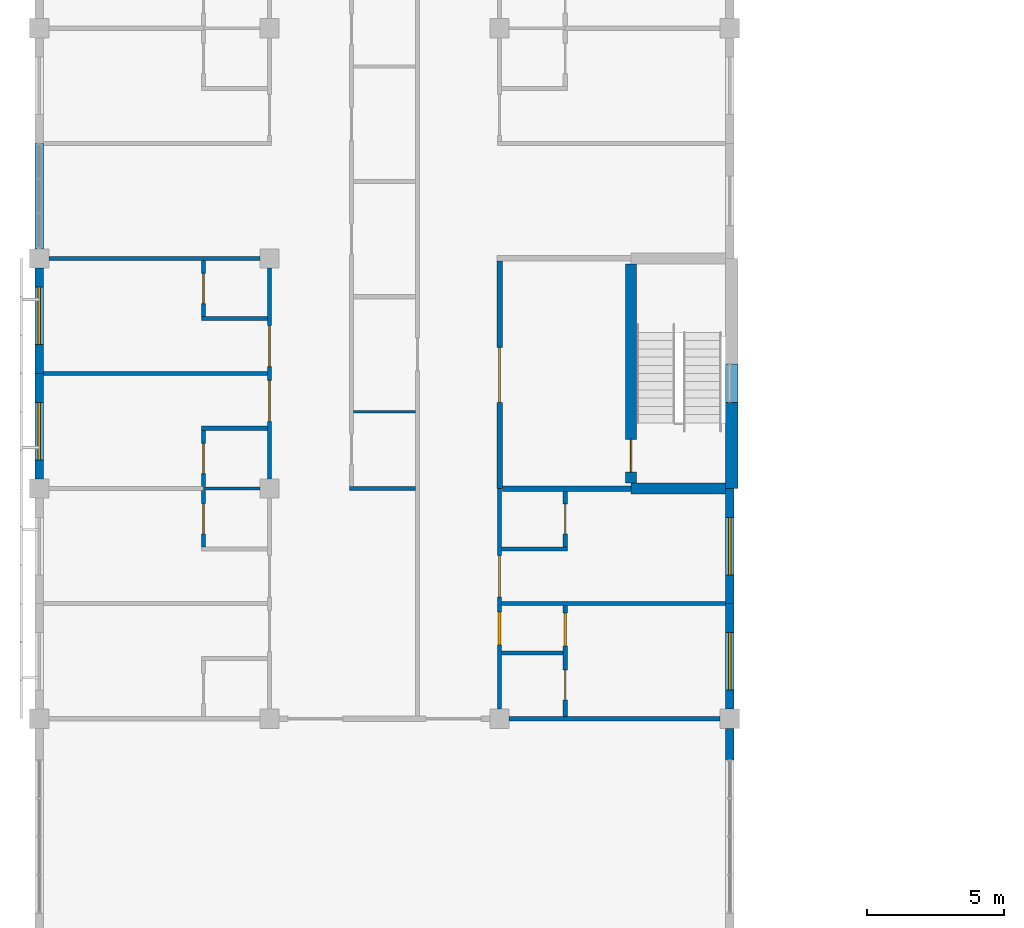
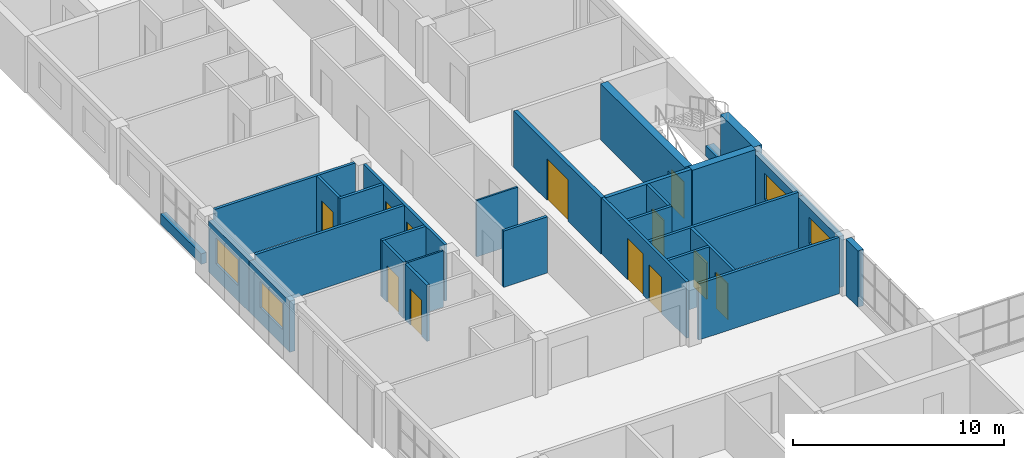
# One storey, part 27 of 46: 30 walls, 12 doors, 4 windows, 16 openings.
"""IFC4 building model written with IfcOpenShell, lengths in metres."""

from ifc_helpers import new_model, si_unit, direction, frame, frame_2d, origin, place, context, subcontext, project, spatial, rectangle, extrude, material, layer, layer_set, type_object, element, fill, save


model = new_model("IFC4")

# Units and contexts
model_context = context("Model", 3, precision=1e-05, world=origin(), true_north=direction((0.0, 1.0)))
body_context = subcontext(model_context, "Body", "Model", "MODEL_VIEW")
ifc_project = project(units=[si_unit("LENGTHUNIT", "METRE"), si_unit("AREAUNIT", "SQUARE_METRE"), si_unit("VOLUMEUNIT", "CUBIC_METRE"), si_unit("PLANEANGLEUNIT", "RADIAN"), si_unit("MASSUNIT", "GRAM", prefix="KILO")], contexts=[model_context])

# Site, building, storey
site_placement = place(None, origin())
site = spatial("IfcSite", under=ifc_project, at=site_placement, CompositionType="ELEMENT")
building_placement = place(site_placement, origin())
building = spatial("IfcBuilding", under=site, at=building_placement, Name="Yavir Park General Hospital", CompositionType="ELEMENT")
storey_placement = place(building_placement, frame((0.0, 0.0, 18.89990234375)))
storey = spatial("IfcBuildingStorey", under=building, at=storey_placement, Name="L04", CompositionType="ELEMENT", Elevation=18.89990234375)

# Wall
ifc_material_1 = material(Name="Double gypsum board fire partition on steel studs", Category="steel")
ifc_layer_1 = layer(ifc_material_1, 0.199951171875)
ifc_layer_set_1 = layer_set([ifc_layer_1], Name="Double gypsum board fire partition on steel studs")
wall_type_1 = type_object("IfcWallType", Name="Fire-rated partition 200, EI 60", PredefinedType="PARTITIONING", material=ifc_layer_set_1)
wall_1_placement = place(storey_placement, frame((16.89990234375, 42.0, 0.0), z_axis=(0.0, 0.0, 1.0), x_axis=(1.0, 0.0, 0.0)))
element("IfcWall", 1, at=wall_1_placement, inside=storey, type_object=wall_type_1, Name="FP20 L04-068", PredefinedType="PARTITIONING", context=body_context, shape_type="SweptSolid", body=[
    extrude(rectangle(XDim=4.7001953125, YDim=0.199951171875, at=frame_2d((2.35009765625, 0.0))), origin(), (0.0, 0.0, 1.0), 3.260009765625),
])

# Wall, opening, door
wall_2_placement = place(storey_placement, frame((16.800048828125, 42.0, 0.0), z_axis=(0.0, 0.0, 1.0), x_axis=(0.0, 1.0, 0.0)))
wall_2 = element("IfcWall", 2, at=wall_2_placement, inside=storey, type_object=wall_type_1, Name="FP20 L04-190", PredefinedType="PARTITIONING", context=body_context, shape_type="SweptSolid", body=[
    extrude(rectangle(XDim=8.300048828125, YDim=0.199951171875, at=frame_2d((4.14990234375, 0.0))), origin(), (0.0, 0.0, 1.0), 3.260009765625),
])
opening_1_placement = place(wall_2_placement, frame((3.14990234375, 0.0, 0.0)))
opening_1 = element("IfcOpeningElement", 3, at=opening_1_placement, cuts=wall_2, Name="Opening L04.D117", PredefinedType="OPENING", context=body_context, shape_type="SweptSolid", body=[
    extrude(rectangle(XDim=2.0, YDim=2.39990234375, at=frame_2d((1.0, 1.199951171875))), frame((0.0, 0.10986328125, 0.0), z_axis=(0.0, -1.0, 0.0), x_axis=(1.0, 0.0, 0.0)), (0.0, 0.0, 1.0), 0.219970703125),
])
ifc_material_2 = material(Name="Steel frame, fire-resisting leaves with vision panels", Category="steel")
door_type_1 = type_object("IfcDoorType", Name="Double fire door with vision panels 2000 x 2400, EI 60", OperationType="DOUBLE_DOOR_SINGLE_SWING", PredefinedType="DOOR", material=ifc_material_2)
door_1_placement = place(opening_1_placement, origin())
door_1 = element("IfcDoor", 4, at=door_1_placement, inside=storey, type_object=door_type_1, Name="L04.D117", OperationType="SINGLE_SWING_LEFT", OverallHeight=2.39990234375, OverallWidth=2.0, PredefinedType="DOOR", context=body_context, shape_type="SweptSolid", body=[
    extrude(rectangle(XDim=2.0, YDim=2.39990234375, at=frame_2d((1.0, 1.199951171875))), frame((0.0, 0.030029296875, 0.0), z_axis=(0.0, -1.0, 0.0), x_axis=(1.0, 0.0, 0.0)), (0.0, 0.0, 1.0), 0.06005859375),
])
fill(opening_1, door_1)

# Walls
ifc_material_3 = material(Name="Gypsum board partition on steel studs", Category="steel")
ifc_layer_2 = layer(ifc_material_3, 0.10009765625)
ifc_layer_set_2 = layer_set([ifc_layer_2], Name="Gypsum board partition on steel studs")
wall_type_2 = type_object("IfcWallType", Name="Gypsum board partition 100", PredefinedType="PARTITIONING", material=ifc_layer_set_2)
wall_3_placement = place(storey_placement, frame((6.0, 42.0, 0.0), z_axis=(0.0, 0.0, 1.0), x_axis=(1.0, 0.0, 0.0)))
element("IfcWall", 5, at=wall_3_placement, inside=storey, type_object=wall_type_2, Name="P10 L04-066", PredefinedType="PARTITIONING", context=body_context, shape_type="SweptSolid", body=[
    extrude(rectangle(XDim=2.050048828125, YDim=0.10009765625, at=frame_2d((1.02490234375, 0.0))), origin(), (0.0, 0.0, 1.0), 3.260009765625),
])
wall_4_placement = place(storey_placement, frame((11.47509765625, 44.800048828125, 0.0), z_axis=(0.0, 0.0, 1.0), x_axis=(1.0, 0.0, 0.0)))
element("IfcWall", 6, at=wall_4_placement, inside=storey, type_object=wall_type_2, Name="P10 L04-071", PredefinedType="PARTITIONING", context=body_context, shape_type="SweptSolid", body=[
    extrude(rectangle(XDim=2.25, YDim=0.10009765625, at=frame_2d((1.125, 0.0))), origin(), (0.0, 0.0, 1.0), 3.260009765625),
])
ifc_material_4 = material(Name="Gypsum board partition on steel studs", Category="steel")
ifc_layer_3 = layer(ifc_material_4, 0.14990234375)
ifc_layer_set_3 = layer_set([ifc_layer_3], Name="Gypsum board partition on steel studs")
wall_type_3 = type_object("IfcWallType", Name="Gypsum board partition 150", PredefinedType="PARTITIONING", material=ifc_layer_set_3)
wall_5_placement = place(storey_placement, frame((17.14990234375, 33.60009765625, 0.0), z_axis=(0.0, 0.0, 1.0), x_axis=(1.0, 0.0, 0.0)))
element("IfcWall", 7, at=wall_5_placement, inside=storey, type_object=wall_type_3, Name="P15 L04-058", PredefinedType="PARTITIONING", context=body_context, shape_type="SweptSolid", body=[
    extrude(rectangle(XDim=7.7001953125, YDim=0.14990234375, at=frame_2d((3.85009765625, 0.0))), origin(), (0.0, 0.0, 1.0), 3.260009765625),
])
wall_6_placement = place(storey_placement, frame((16.875, 36.0, 0.0), z_axis=(0.0, 0.0, 1.0), x_axis=(1.0, 0.0, 0.0)))
element("IfcWall", 8, at=wall_6_placement, inside=storey, type_object=wall_type_3, Name="P15 L04-060", PredefinedType="PARTITIONING", context=body_context, shape_type="SweptSolid", body=[
    extrude(rectangle(XDim=2.25, YDim=0.14990234375, at=frame_2d((1.125, 0.0))), origin(), (0.0, 0.0, 1.0), 3.260009765625),
])
wall_7_placement = place(storey_placement, frame((16.875, 37.800048828125, 0.0), z_axis=(0.0, 0.0, 1.0), x_axis=(1.0, 0.0, 0.0)))
element("IfcWall", 9, at=wall_7_placement, inside=storey, type_object=wall_type_3, Name="P15 L04-062", PredefinedType="PARTITIONING", context=body_context, shape_type="SweptSolid", body=[
    extrude(rectangle(XDim=8.175048828125, YDim=0.14990234375, at=frame_2d((4.08740234375, 0.0))), origin(), (0.0, 0.0, 1.0), 3.260009765625),
])
wall_8_placement = place(storey_placement, frame((16.875, 39.800048828125, 0.0), z_axis=(0.0, 0.0, 1.0), x_axis=(1.0, 0.0, 0.0)))
element("IfcWall", 10, at=wall_8_placement, inside=storey, type_object=wall_type_3, Name="P15 L04-064", PredefinedType="PARTITIONING", context=body_context, shape_type="SweptSolid", body=[
    extrude(rectangle(XDim=2.39990234375, YDim=0.14990234375, at=frame_2d((1.199951171875, 0.0))), origin(), (0.0, 0.0, 1.0), 3.260009765625),
])
wall_9_placement = place(storey_placement, frame((11.324951171875, 42.0, 0.0), z_axis=(0.0, 0.0, 1.0), x_axis=(1.0, 0.0, 0.0)))
element("IfcWall", 11, at=wall_9_placement, inside=storey, type_object=wall_type_3, Name="P15 L04-067", PredefinedType="PARTITIONING", context=body_context, shape_type="SweptSolid", body=[
    extrude(rectangle(XDim=2.400146484375, YDim=0.14990234375, at=frame_2d((1.2001953125, 0.0))), origin(), (0.0, 0.0, 1.0), 3.260009765625),
])
wall_10_placement = place(storey_placement, frame((5.925048828125, 44.199951171875, 0.0), z_axis=(0.0, 0.0, 1.0), x_axis=(1.0, 0.0, 0.0)))
element("IfcWall", 12, at=wall_10_placement, inside=storey, type_object=wall_type_3, Name="P15 L04-070", PredefinedType="PARTITIONING", context=body_context, shape_type="SweptSolid", body=[
    extrude(rectangle(XDim=2.39990234375, YDim=0.14990234375, at=frame_2d((1.199951171875, 0.0))), origin(), (0.0, 0.0, 1.0), 3.260009765625),
])
wall_11_placement = place(storey_placement, frame((0.14990234375, 46.199951171875, 0.0), z_axis=(0.0, 0.0, 1.0), x_axis=(1.0, 0.0, 0.0)))
element("IfcWall", 13, at=wall_11_placement, inside=storey, type_object=wall_type_3, Name="P15 L04-072", PredefinedType="PARTITIONING", context=body_context, shape_type="SweptSolid", body=[
    extrude(rectangle(XDim=8.175048828125, YDim=0.14990234375, at=frame_2d((4.08740234375, 0.0))), origin(), (0.0, 0.0, 1.0), 3.260009765625),
])
wall_12_placement = place(storey_placement, frame((5.925048828125, 48.199951171875, 0.0), z_axis=(0.0, 0.0, 1.0), x_axis=(1.0, 0.0, 0.0)))
element("IfcWall", 14, at=wall_12_placement, inside=storey, type_object=wall_type_3, Name="P15 L04-073", PredefinedType="PARTITIONING", context=body_context, shape_type="SweptSolid", body=[
    extrude(rectangle(XDim=2.39990234375, YDim=0.14990234375, at=frame_2d((1.199951171875, 0.0))), origin(), (0.0, 0.0, 1.0), 3.260009765625),
])
wall_13_placement = place(storey_placement, frame((0.35009765625, 50.39990234375, 0.0), z_axis=(0.0, 0.0, 1.0), x_axis=(1.0, 0.0, 0.0)))
element("IfcWall", 15, at=wall_13_placement, inside=storey, type_object=wall_type_3, Name="P15 L04-075", PredefinedType="PARTITIONING", context=body_context, shape_type="SweptSolid", body=[
    extrude(rectangle(XDim=7.699951171875, YDim=0.14990234375, at=frame_2d((3.85009765625, 0.0))), origin(), (0.0, 0.0, 1.0), 3.260009765625),
])

# Wall, opening, door
wall_14_placement = place(storey_placement, frame((6.0, 39.875, 0.0), z_axis=(0.0, 0.0, 1.0), x_axis=(0.0, 1.0, 0.0)))
wall_14 = element("IfcWall", 16, at=wall_14_placement, inside=storey, type_object=wall_type_3, Name="P15 L04-148", PredefinedType="PARTITIONING", context=body_context, shape_type="SweptSolid", body=[
    extrude(rectangle(XDim=2.050048828125, YDim=0.14990234375, at=frame_2d((1.02490234375, 0.0))), origin(), (0.0, 0.0, 1.0), 3.260009765625),
])
opening_2_placement = place(wall_14_placement, frame((0.47509765625, 0.0, 0.0)))
opening_2 = element("IfcOpeningElement", 17, at=opening_2_placement, cuts=wall_14, Name="Opening L04.D077", PredefinedType="OPENING", context=body_context, shape_type="SweptSolid", body=[
    extrude(rectangle(XDim=1.10009765625, YDim=2.10009765625, at=frame_2d((0.550048828125, 1.050048828125))), frame((0.0, 0.0849609375, 0.0), z_axis=(0.0, -1.0, 0.0), x_axis=(1.0, 0.0, 0.0)), (0.0, 0.0, 1.0), 0.169921875),
])
ifc_material_5 = material(Name="Hollow metal frame, solid-core timber leaf", Category="wood")
door_type_2 = type_object("IfcDoorType", Name="Single swing door 1100 x 2100", OperationType="SINGLE_SWING_LEFT", PredefinedType="DOOR", material=ifc_material_5)
door_2_placement = place(opening_2_placement, origin())
door_2 = element("IfcDoor", 18, at=door_2_placement, inside=storey, type_object=door_type_2, Name="L04.D077", OperationType="SINGLE_SWING_LEFT", OverallHeight=2.10009765625, OverallWidth=1.10009765625, PredefinedType="DOOR", context=body_context, shape_type="SweptSolid", body=[
    extrude(rectangle(XDim=1.10009765625, YDim=2.10009765625, at=frame_2d((0.550048828125, 1.050048828125))), frame((0.0, 0.02490234375, 0.0), z_axis=(0.0, -1.0, 0.0), x_axis=(1.0, 0.0, 0.0)), (0.0, 0.0, 1.0), 0.050048828125),
])
fill(opening_2, door_2)

wall_15_placement = place(storey_placement, frame((6.0, 42.074951171875, 0.0), z_axis=(0.0, 0.0, 1.0), x_axis=(0.0, 1.0, 0.0)))
wall_15 = element("IfcWall", 19, at=wall_15_placement, inside=storey, type_object=wall_type_3, Name="P15 L04-149", PredefinedType="PARTITIONING", context=body_context, shape_type="SweptSolid", body=[
    extrude(rectangle(XDim=2.050048828125, YDim=0.14990234375, at=frame_2d((1.02490234375, 0.0))), origin(), (0.0, 0.0, 1.0), 3.260009765625),
])
opening_3_placement = place(wall_15_placement, frame((0.47509765625, 0.0, 0.0)))
opening_3 = element("IfcOpeningElement", 20, at=opening_3_placement, cuts=wall_15, Name="Opening L04.D078", PredefinedType="OPENING", context=body_context, shape_type="SweptSolid", body=[
    extrude(rectangle(XDim=1.10009765625, YDim=2.10009765625, at=frame_2d((0.550048828125, 1.050048828125))), frame((0.0, 0.0849609375, 0.0), z_axis=(0.0, -1.0, 0.0), x_axis=(1.0, 0.0, 0.0)), (0.0, 0.0, 1.0), 0.169921875),
])
door_3_placement = place(opening_3_placement, origin())
door_3 = element("IfcDoor", 21, at=door_3_placement, inside=storey, type_object=door_type_2, Name="L04.D078", OperationType="SINGLE_SWING_RIGHT", OverallHeight=2.10009765625, OverallWidth=1.10009765625, PredefinedType="DOOR", context=body_context, shape_type="SweptSolid", body=[
    extrude(rectangle(XDim=1.10009765625, YDim=2.10009765625, at=frame_2d((0.550048828125, 1.050048828125))), frame((0.0, 0.02490234375, 0.0), z_axis=(0.0, -1.0, 0.0), x_axis=(1.0, 0.0, 0.0)), (0.0, 0.0, 1.0), 0.050048828125),
])
fill(opening_3, door_3)

wall_16_placement = place(storey_placement, frame((6.0, 48.27490234375, 0.0), z_axis=(0.0, 0.0, 1.0), x_axis=(0.0, 1.0, 0.0)))
wall_16 = element("IfcWall", 22, at=wall_16_placement, inside=storey, type_object=wall_type_3, Name="P15 L04-150", PredefinedType="PARTITIONING", context=body_context, shape_type="SweptSolid", body=[
    extrude(rectangle(XDim=2.050048828125, YDim=0.14990234375, at=frame_2d((1.02490234375, 0.0))), origin(), (0.0, 0.0, 1.0), 3.260009765625),
])
opening_4_placement = place(wall_16_placement, frame((0.47509765625, 0.0, 0.0)))
opening_4 = element("IfcOpeningElement", 23, at=opening_4_placement, cuts=wall_16, Name="Opening L04.D079", PredefinedType="OPENING", context=body_context, shape_type="SweptSolid", body=[
    extrude(rectangle(XDim=1.10009765625, YDim=2.10009765625, at=frame_2d((0.550048828125, 1.050048828125))), frame((0.0, 0.0849609375, 0.0), z_axis=(0.0, -1.0, 0.0), x_axis=(1.0, 0.0, 0.0)), (0.0, 0.0, 1.0), 0.169921875),
])
door_4_placement = place(opening_4_placement, origin())
door_4 = element("IfcDoor", 24, at=door_4_placement, inside=storey, type_object=door_type_2, Name="L04.D079", OperationType="SINGLE_SWING_LEFT", OverallHeight=2.10009765625, OverallWidth=1.10009765625, PredefinedType="DOOR", context=body_context, shape_type="SweptSolid", body=[
    extrude(rectangle(XDim=1.10009765625, YDim=2.10009765625, at=frame_2d((0.550048828125, 1.050048828125))), frame((0.0, 0.02490234375, 0.0), z_axis=(0.0, -1.0, 0.0), x_axis=(1.0, 0.0, 0.0)), (0.0, 0.0, 1.0), 0.050048828125),
])
fill(opening_4, door_4)

# Wall, openings, doors
wall_17_placement = place(storey_placement, frame((8.39990234375, 42.35009765625, 0.0), z_axis=(0.0, 0.0, 1.0), x_axis=(0.0, 1.0, 0.0)))
wall_17 = element("IfcWall", 25, at=wall_17_placement, inside=storey, type_object=wall_type_3, Name="P15 L04-167", PredefinedType="PARTITIONING", context=body_context, shape_type="SweptSolid", body=[
    extrude(rectangle(XDim=7.699951171875, YDim=0.14990234375, at=frame_2d((3.85009765625, 0.0))), origin(), (0.0, 0.0, 1.0), 3.260009765625),
])
opening_5_placement = place(wall_17_placement, frame((2.10009765625, 0.0, 0.0)))
opening_5 = element("IfcOpeningElement", 26, at=opening_5_placement, cuts=wall_17, Name="Opening L04.D091", PredefinedType="OPENING", context=body_context, shape_type="SweptSolid", body=[
    extrude(rectangle(XDim=1.5, YDim=2.39990234375, at=frame_2d((0.75, 1.199951171875))), frame((0.0, 0.0849609375, 0.0), z_axis=(0.0, -1.0, 0.0), x_axis=(1.0, 0.0, 0.0)), (0.0, 0.0, 1.0), 0.169921875),
])
opening_6_placement = place(wall_17_placement, frame((4.10009765625, 0.0, 0.0)))
opening_6 = element("IfcOpeningElement", 27, at=opening_6_placement, cuts=wall_17, Name="Opening L04.D092", PredefinedType="OPENING", context=body_context, shape_type="SweptSolid", body=[
    extrude(rectangle(XDim=1.5, YDim=2.39990234375, at=frame_2d((0.75, 1.199951171875))), frame((0.0, 0.0849609375, 0.0), z_axis=(0.0, -1.0, 0.0), x_axis=(1.0, 0.0, 0.0)), (0.0, 0.0, 1.0), 0.169921875),
])
ifc_material_6 = material(Name="Solid-core timber leaves, push plates, kick plates", Category="wood")
door_type_3 = type_object("IfcDoorType", Name="Bed door, unequal leaves 1500 x 2400", OperationType="DOUBLE_DOOR_SINGLE_SWING", PredefinedType="DOOR", material=ifc_material_6)
door_5_placement = place(opening_5_placement, origin())
door_5 = element("IfcDoor", 28, at=door_5_placement, inside=storey, type_object=door_type_3, Name="L04.D091", OperationType="SINGLE_SWING_RIGHT", OverallHeight=2.39990234375, OverallWidth=1.5, PredefinedType="DOOR", context=body_context, shape_type="SweptSolid", body=[
    extrude(rectangle(XDim=1.5, YDim=2.39990234375, at=frame_2d((0.75, 1.199951171875))), frame((0.0, 0.030029296875, 0.0), z_axis=(0.0, -1.0, 0.0), x_axis=(1.0, 0.0, 0.0)), (0.0, 0.0, 1.0), 0.06005859375),
])
fill(opening_5, door_5)
door_6_placement = place(opening_6_placement, origin())
door_6 = element("IfcDoor", 29, at=door_6_placement, inside=storey, type_object=door_type_3, Name="L04.D092", OperationType="SINGLE_SWING_RIGHT", OverallHeight=2.39990234375, OverallWidth=1.5, PredefinedType="DOOR", context=body_context, shape_type="SweptSolid", body=[
    extrude(rectangle(XDim=1.5, YDim=2.39990234375, at=frame_2d((0.75, 1.199951171875))), frame((0.0, 0.030029296875, 0.0), z_axis=(0.0, -1.0, 0.0), x_axis=(1.0, 0.0, 0.0)), (0.0, 0.0, 1.0), 0.06005859375),
])
fill(opening_6, door_6)

wall_18_placement = place(storey_placement, frame((16.800048828125, 33.949951171875, 0.0), z_axis=(0.0, 0.0, 1.0), x_axis=(0.0, 1.0, 0.0)))
wall_18 = element("IfcWall", 30, at=wall_18_placement, inside=storey, type_object=wall_type_3, Name="P15 L04-189", PredefinedType="PARTITIONING", context=body_context, shape_type="SweptSolid", body=[
    extrude(rectangle(XDim=8.050048828125, YDim=0.14990234375, at=frame_2d((4.02490234375, 0.0))), origin(), (0.0, 0.0, 1.0), 3.260009765625),
])
opening_7_placement = place(wall_18_placement, frame((2.35009765625, 0.0, 0.0)))
opening_7 = element("IfcOpeningElement", 31, at=opening_7_placement, cuts=wall_18, Name="Opening L04.D115", PredefinedType="OPENING", context=body_context, shape_type="SweptSolid", body=[
    extrude(rectangle(XDim=1.199951171875, YDim=2.10009765625, at=frame_2d((0.60009765625, 1.050048828125))), frame((0.0, 0.0849609375, 0.0), z_axis=(0.0, -1.0, 0.0), x_axis=(1.0, 0.0, 0.0)), (0.0, 0.0, 1.0), 0.169921875),
])
opening_8_placement = place(wall_18_placement, frame((4.10009765625, 0.0, 0.0)))
opening_8 = element("IfcOpeningElement", 32, at=opening_8_placement, cuts=wall_18, Name="Opening L04.D116", PredefinedType="OPENING", context=body_context, shape_type="SweptSolid", body=[
    extrude(rectangle(XDim=1.5, YDim=2.39990234375, at=frame_2d((0.75, 1.199951171875))), frame((0.0, 0.0849609375, 0.0), z_axis=(0.0, -1.0, 0.0), x_axis=(1.0, 0.0, 0.0)), (0.0, 0.0, 1.0), 0.169921875),
])
door_7_placement = place(opening_8_placement, origin())
door_7 = element("IfcDoor", 33, at=door_7_placement, inside=storey, type_object=door_type_3, Name="L04.D116", OperationType="SINGLE_SWING_LEFT", OverallHeight=2.39990234375, OverallWidth=1.5, PredefinedType="DOOR", context=body_context, shape_type="SweptSolid", body=[
    extrude(rectangle(XDim=1.5, YDim=2.39990234375, at=frame_2d((0.75, 1.199951171875))), frame((0.0, 0.030029296875, 0.0), z_axis=(0.0, -1.0, 0.0), x_axis=(1.0, 0.0, 0.0)), (0.0, 0.0, 1.0), 0.06005859375),
])
fill(opening_8, door_7)
ifc_material_7 = material(Name="Sealed steel door leaf, compression seals", Category="steel")
door_type_4 = type_object("IfcDoorType", Name="Isolation airlock door 1200 x 2100", OperationType="SINGLE_SWING_LEFT", PredefinedType="DOOR", material=ifc_material_7)
door_8_placement = place(opening_7_placement, origin())
door_8 = element("IfcDoor", 34, at=door_8_placement, inside=storey, type_object=door_type_4, Name="L04.D115", OperationType="SINGLE_SWING_LEFT", OverallHeight=2.10009765625, OverallWidth=1.199951171875, PredefinedType="DOOR", context=body_context, shape_type="SweptSolid", body=[
    extrude(rectangle(XDim=1.199951171875, YDim=2.10009765625, at=frame_2d((0.60009765625, 1.050048828125))), frame((0.0, 0.050048828125, 0.0), z_axis=(0.0, -1.0, 0.0), x_axis=(1.0, 0.0, 0.0)), (0.0, 0.0, 1.0), 0.10009765625),
])
fill(opening_7, door_8)

wall_19_placement = place(storey_placement, frame((19.199951171875, 33.675048828125, 0.0), z_axis=(0.0, 0.0, 1.0), x_axis=(0.0, 1.0, 0.0)))
wall_19 = element("IfcWall", 35, at=wall_19_placement, inside=storey, type_object=wall_type_3, Name="P15 L04-198", PredefinedType="PARTITIONING", context=body_context, shape_type="SweptSolid", body=[
    extrude(rectangle(XDim=4.050048828125, YDim=0.14990234375, at=frame_2d((2.02490234375, 0.0))), origin(), (0.0, 0.0, 1.0), 3.260009765625),
])
opening_9_placement = place(wall_19_placement, frame((0.612548828125, 0.0, 0.0)))
opening_9 = element("IfcOpeningElement", 36, at=opening_9_placement, cuts=wall_19, Name="Opening L04.D128", PredefinedType="OPENING", context=body_context, shape_type="SweptSolid", body=[
    extrude(rectangle(XDim=1.10009765625, YDim=2.10009765625, at=frame_2d((0.550048828125, 1.050048828125))), frame((0.0, 0.0849609375, 0.0), z_axis=(0.0, -1.0, 0.0), x_axis=(1.0, 0.0, 0.0)), (0.0, 0.0, 1.0), 0.169921875),
])
opening_10_placement = place(wall_19_placement, frame((2.58740234375, 0.0, 0.0)))
opening_10 = element("IfcOpeningElement", 37, at=opening_10_placement, cuts=wall_19, Name="Opening L04.D129", PredefinedType="OPENING", context=body_context, shape_type="SweptSolid", body=[
    extrude(rectangle(XDim=1.199951171875, YDim=2.10009765625, at=frame_2d((0.60009765625, 1.050048828125))), frame((0.0, 0.0849609375, 0.0), z_axis=(0.0, -1.0, 0.0), x_axis=(1.0, 0.0, 0.0)), (0.0, 0.0, 1.0), 0.169921875),
])
door_9_placement = place(opening_10_placement, origin())
door_9 = element("IfcDoor", 38, at=door_9_placement, inside=storey, type_object=door_type_4, Name="L04.D129", OperationType="SINGLE_SWING_RIGHT", OverallHeight=2.10009765625, OverallWidth=1.199951171875, PredefinedType="DOOR", context=body_context, shape_type="SweptSolid", body=[
    extrude(rectangle(XDim=1.199951171875, YDim=2.10009765625, at=frame_2d((0.60009765625, 1.050048828125))), frame((0.0, 0.050048828125, 0.0), z_axis=(0.0, -1.0, 0.0), x_axis=(1.0, 0.0, 0.0)), (0.0, 0.0, 1.0), 0.10009765625),
])
fill(opening_10, door_9)
door_10_placement = place(opening_9_placement, origin())
door_10 = element("IfcDoor", 39, at=door_10_placement, inside=storey, type_object=door_type_2, Name="L04.D128", OperationType="SINGLE_SWING_LEFT", OverallHeight=2.10009765625, OverallWidth=1.10009765625, PredefinedType="DOOR", context=body_context, shape_type="SweptSolid", body=[
    extrude(rectangle(XDim=1.10009765625, YDim=2.10009765625, at=frame_2d((0.550048828125, 1.050048828125))), frame((0.0, 0.02490234375, 0.0), z_axis=(0.0, -1.0, 0.0), x_axis=(1.0, 0.0, 0.0)), (0.0, 0.0, 1.0), 0.050048828125),
])
fill(opening_9, door_10)

# Wall, opening, door
wall_20_placement = place(storey_placement, frame((19.199951171875, 39.875, 0.0), z_axis=(0.0, 0.0, 1.0), x_axis=(0.0, 1.0, 0.0)))
wall_20 = element("IfcWall", 40, at=wall_20_placement, inside=storey, type_object=wall_type_3, Name="P15 L04-199", PredefinedType="PARTITIONING", context=body_context, shape_type="SweptSolid", body=[
    extrude(rectangle(XDim=2.02490234375, YDim=0.14990234375, at=frame_2d((1.012451171875, 0.0))), origin(), (0.0, 0.0, 1.0), 3.260009765625),
])
opening_11_placement = place(wall_20_placement, frame((0.46240234375, 0.0, 0.0)))
opening_11 = element("IfcOpeningElement", 41, at=opening_11_placement, cuts=wall_20, Name="Opening L04.D130", PredefinedType="OPENING", context=body_context, shape_type="SweptSolid", body=[
    extrude(rectangle(XDim=1.10009765625, YDim=2.10009765625, at=frame_2d((0.550048828125, 1.050048828125))), frame((0.0, 0.0849609375, 0.0), z_axis=(0.0, -1.0, 0.0), x_axis=(1.0, 0.0, 0.0)), (0.0, 0.0, 1.0), 0.169921875),
])
door_11_placement = place(opening_11_placement, origin())
door_11 = element("IfcDoor", 42, at=door_11_placement, inside=storey, type_object=door_type_2, Name="L04.D130", OperationType="SINGLE_SWING_RIGHT", OverallHeight=2.10009765625, OverallWidth=1.10009765625, PredefinedType="DOOR", context=body_context, shape_type="SweptSolid", body=[
    extrude(rectangle(XDim=1.10009765625, YDim=2.10009765625, at=frame_2d((0.550048828125, 1.050048828125))), frame((0.0, 0.02490234375, 0.0), z_axis=(0.0, -1.0, 0.0), x_axis=(1.0, 0.0, 0.0)), (0.0, 0.0, 1.0), 0.050048828125),
])
fill(opening_11, door_11)

# Wall, opening, window
ifc_material_8 = material(Name="Autoclaved aerated block, mineral wool and ochre mineral render")
ifc_layer_4 = layer(ifc_material_8, 0.300048828125)
ifc_layer_set_4 = layer_set([ifc_layer_4], Name="Autoclaved aerated block, mineral wool and ochre mineral render")
wall_type_4 = type_object("IfcWallType", Name="Ochre render ward wall 300, E 30", PredefinedType="SOLIDWALL", material=ifc_layer_set_4)
wall_21_placement = place(storey_placement, frame((0.0, 42.35009765625, 0.0), z_axis=(0.0, 0.0, 1.0), x_axis=(0.0, 1.0, 0.0)))
wall_21 = element("IfcWall", 43, at=wall_21_placement, inside=storey, type_object=wall_type_4, Name="XW7 L04-083", PredefinedType="SOLIDWALL", context=body_context, shape_type="SweptSolid", body=[
    extrude(rectangle(XDim=3.849853515625, YDim=0.300048828125, at=frame_2d((1.9248046875, 0.0))), origin(), (0.0, 0.0, 1.0), 2.960205078125),
])
opening_12_placement = place(wall_21_placement, frame((0.699951171875, 0.0, 0.89990234375)))
opening_12 = element("IfcOpeningElement", 44, at=opening_12_placement, cuts=wall_21, Name="Opening WAR", PredefinedType="OPENING", context=body_context, shape_type="SweptSolid", body=[
    extrude(rectangle(XDim=2.10009765625, YDim=1.5, at=frame_2d((1.050048828125, 0.75))), frame((0.0, 0.159912109375, 0.0), z_axis=(0.0, -1.0, 0.0), x_axis=(1.0, 0.0, 0.0)), (0.0, 0.0, 1.0), 0.320068359375),
])
ifc_material_9 = material(Name="Aluminium frame, tilt-and-turn sash with opening restrictor, double glazed unit", Category="aluminium")
window_type_1 = type_object("IfcWindowType", Name="Ward window, restricted opening 2100 x 1500", PartitioningType="DOUBLE_PANEL_VERTICAL", PredefinedType="WINDOW", material=ifc_material_9)
window_1_placement = place(opening_12_placement, origin())
window_1 = element("IfcWindow", 45, at=window_1_placement, inside=storey, type_object=window_type_1, Name="WAR L04-028", OverallHeight=1.5, OverallWidth=2.10009765625, PartitioningType="DOUBLE_PANEL_VERTICAL", PredefinedType="WINDOW", context=body_context, shape_type="SweptSolid", body=[
    extrude(rectangle(XDim=2.10009765625, YDim=1.5, at=frame_2d((1.050048828125, 0.75))), frame((0.0, 0.050048828125, 0.0), z_axis=(0.0, -1.0, 0.0), x_axis=(1.0, 0.0, 0.0)), (0.0, 0.0, 1.0), 0.10009765625),
])
fill(opening_12, window_1)

wall_22_placement = place(storey_placement, frame((0.0, 46.199951171875, 0.0), z_axis=(0.0, 0.0, 1.0), x_axis=(0.0, 1.0, 0.0)))
wall_22 = element("IfcWall", 46, at=wall_22_placement, inside=storey, type_object=wall_type_4, Name="XW7 L04-084", PredefinedType="SOLIDWALL", context=body_context, shape_type="SweptSolid", body=[
    extrude(rectangle(XDim=3.85009765625, YDim=0.300048828125, at=frame_2d((1.925048828125, 0.0))), origin(), (0.0, 0.0, 1.0), 2.960205078125),
])
opening_13_placement = place(wall_22_placement, frame((1.050048828125, 0.0, 0.89990234375)))
opening_13 = element("IfcOpeningElement", 47, at=opening_13_placement, cuts=wall_22, Name="Opening WAR", PredefinedType="OPENING", context=body_context, shape_type="SweptSolid", body=[
    extrude(rectangle(XDim=2.10009765625, YDim=1.5, at=frame_2d((1.050048828125, 0.75))), frame((0.0, 0.159912109375, 0.0), z_axis=(0.0, -1.0, 0.0), x_axis=(1.0, 0.0, 0.0)), (0.0, 0.0, 1.0), 0.320068359375),
])
window_2_placement = place(opening_13_placement, origin())
window_2 = element("IfcWindow", 48, at=window_2_placement, inside=storey, type_object=window_type_1, Name="WAR L04-029", OverallHeight=1.5, OverallWidth=2.10009765625, PartitioningType="DOUBLE_PANEL_VERTICAL", PredefinedType="WINDOW", context=body_context, shape_type="SweptSolid", body=[
    extrude(rectangle(XDim=2.10009765625, YDim=1.5, at=frame_2d((1.050048828125, 0.75))), frame((0.0, 0.050048828125, 0.0), z_axis=(0.0, -1.0, 0.0), x_axis=(1.0, 0.0, 0.0)), (0.0, 0.0, 1.0), 0.10009765625),
])
fill(opening_13, window_2)

# Walls
wall_23_placement = place(storey_placement, frame((0.0, 50.75, 0.0), z_axis=(0.0, 0.0, 1.0), x_axis=(0.0, 1.0, 0.0)))
element("IfcWall", 49, at=wall_23_placement, inside=storey, type_object=wall_type_4, Name="XW7 L04-085", PredefinedType="SOLIDWALL", context=body_context, shape_type="SweptSolid", body=[
    extrude(rectangle(XDim=3.85009765625, YDim=0.300048828125, at=frame_2d((1.925048828125, 0.0))), origin(), (0.0, 0.0, 1.0), 0.60009765625),
])
wall_24_placement = place(storey_placement, frame((25.199951171875, 32.10009765625, 0.0), z_axis=(0.0, 0.0, 1.0), x_axis=(0.0, 1.0, 0.0)))
element("IfcWall", 50, at=wall_24_placement, inside=storey, type_object=wall_type_4, Name="XW7 L04-103", PredefinedType="SOLIDWALL", context=body_context, shape_type="SweptSolid", body=[
    extrude(rectangle(XDim=1.14990234375, YDim=0.300048828125, at=frame_2d((0.574951171875, 0.0))), origin(), (0.0, 0.0, 1.0), 3.260009765625),
])

# Wall, opening, window
wall_25_placement = place(storey_placement, frame((25.199951171875, 33.949951171875, 0.0), z_axis=(0.0, 0.0, 1.0), x_axis=(0.0, 1.0, 0.0)))
wall_25 = element("IfcWall", 51, at=wall_25_placement, inside=storey, type_object=wall_type_4, Name="XW7 L04-105", PredefinedType="SOLIDWALL", context=body_context, shape_type="SweptSolid", body=[
    extrude(rectangle(XDim=3.85009765625, YDim=0.300048828125, at=frame_2d((1.925048828125, 0.0))), origin(), (0.0, 0.0, 1.0), 2.960205078125),
])
opening_14_placement = place(wall_25_placement, frame((0.699951171875, 0.0, 0.89990234375)))
opening_14 = element("IfcOpeningElement", 52, at=opening_14_placement, cuts=wall_25, Name="Opening WI", PredefinedType="OPENING", context=body_context, shape_type="SweptSolid", body=[
    extrude(rectangle(XDim=2.10009765625, YDim=1.5, at=frame_2d((1.050048828125, 0.75))), frame((0.0, 0.159912109375, 0.0), z_axis=(0.0, -1.0, 0.0), x_axis=(1.0, 0.0, 0.0)), (0.0, 0.0, 1.0), 0.320068359375),
])
ifc_material_10 = material(Name="Aluminium frame, acoustic glazed unit", Category="aluminium")
window_type_2 = type_object("IfcWindowType", Name="Acoustic glazed window 2100 x 1500", PartitioningType="SINGLE_PANEL", PredefinedType="WINDOW", material=ifc_material_10)
window_3_placement = place(opening_14_placement, origin())
window_3 = element("IfcWindow", 53, at=window_3_placement, inside=storey, type_object=window_type_2, Name="WI L04-040", OverallHeight=1.5, OverallWidth=2.10009765625, PartitioningType="SINGLE_PANEL", PredefinedType="WINDOW", context=body_context, shape_type="SweptSolid", body=[
    extrude(rectangle(XDim=2.10009765625, YDim=1.5, at=frame_2d((1.050048828125, 0.75))), frame((0.0, 0.044921875, 0.0), z_axis=(0.0, -1.0, 0.0), x_axis=(1.0, 0.0, 0.0)), (0.0, 0.0, 1.0), 0.090087890625),
])
fill(opening_14, window_3)

wall_26_placement = place(storey_placement, frame((25.199951171875, 37.800048828125, 0.0), z_axis=(0.0, 0.0, 1.0), x_axis=(0.0, 1.0, 0.0)))
wall_26 = element("IfcWall", 54, at=wall_26_placement, inside=storey, type_object=wall_type_4, Name="XW7 L04-106", PredefinedType="SOLIDWALL", context=body_context, shape_type="SweptSolid", body=[
    extrude(rectangle(XDim=4.199951171875, YDim=0.300048828125, at=frame_2d((2.10009765625, 0.0))), origin(), (0.0, 0.0, 1.0), 2.960205078125),
])
opening_15_placement = place(wall_26_placement, frame((1.050048828125, 0.0, 0.89990234375)))
opening_15 = element("IfcOpeningElement", 55, at=opening_15_placement, cuts=wall_26, Name="Opening WAR", PredefinedType="OPENING", context=body_context, shape_type="SweptSolid", body=[
    extrude(rectangle(XDim=2.10009765625, YDim=1.5, at=frame_2d((1.050048828125, 0.75))), frame((0.0, 0.159912109375, 0.0), z_axis=(0.0, -1.0, 0.0), x_axis=(1.0, 0.0, 0.0)), (0.0, 0.0, 1.0), 0.320068359375),
])
window_4_placement = place(opening_15_placement, origin())
window_4 = element("IfcWindow", 56, at=window_4_placement, inside=storey, type_object=window_type_1, Name="WAR L04-041", OverallHeight=1.5, OverallWidth=2.10009765625, PartitioningType="DOUBLE_PANEL_VERTICAL", PredefinedType="WINDOW", context=body_context, shape_type="SweptSolid", body=[
    extrude(rectangle(XDim=2.10009765625, YDim=1.5, at=frame_2d((1.050048828125, 0.75))), frame((0.0, 0.050048828125, 0.0), z_axis=(0.0, -1.0, 0.0), x_axis=(1.0, 0.0, 0.0)), (0.0, 0.0, 1.0), 0.10009765625),
])
fill(opening_15, window_4)

# Wall
ifc_material_11 = material(Name="Concrete C35/45", Category="concrete")
ifc_layer_5 = layer(ifc_material_11, 0.39990234375)
ifc_layer_set_5 = layer_set([ifc_layer_5], Name="Concrete C35/45")
wall_type_5 = type_object("IfcWallType", Name="Reinforced concrete core wall 400, REI 150", PredefinedType="SHEAR", material=ifc_layer_set_5)
wall_27_placement = place(storey_placement, frame((21.60009765625, 42.0, 0.0), z_axis=(0.0, 0.0, 1.0), x_axis=(1.0, 0.0, 0.0)))
element("IfcWall", 57, at=wall_27_placement, inside=storey, type_object=wall_type_5, Name="CW40 L04-069", PredefinedType="SHEAR", context=body_context, shape_type="SweptSolid", body=[
    extrude(rectangle(XDim=3.449951171875, YDim=0.39990234375, at=frame_2d((1.72509765625, 0.0))), origin(), (0.0, 0.0, 1.0), 3.260009765625),
])

# Wall, opening, door
wall_28_placement = place(storey_placement, frame((21.60009765625, 42.199951171875, 0.0), z_axis=(0.0, 0.0, 1.0), x_axis=(0.0, 1.0, 0.0)))
wall_28 = element("IfcWall", 58, at=wall_28_placement, inside=storey, type_object=wall_type_5, Name="CW40 L04-211", PredefinedType="SHEAR", context=body_context, shape_type="SweptSolid", body=[
    extrude(rectangle(XDim=8.0, YDim=0.39990234375, at=frame_2d((4.0, 0.0))), origin(), (0.0, 0.0, 1.0), 3.260009765625),
])
opening_16_placement = place(wall_28_placement, frame((0.39990234375, 0.0, 0.0)))
opening_16 = element("IfcOpeningElement", 59, at=opening_16_placement, cuts=wall_28, Name="Opening L04.D137", PredefinedType="OPENING", context=body_context, shape_type="SweptSolid", body=[
    extrude(rectangle(XDim=1.199951171875, YDim=2.10009765625, at=frame_2d((0.60009765625, 1.050048828125))), frame((0.0, 0.2099609375, 0.0), z_axis=(0.0, -1.0, 0.0), x_axis=(1.0, 0.0, 0.0)), (0.0, 0.0, 1.0), 0.419921875),
])
ifc_material_12 = material(Name="Steel frame, fire-resisting timber leaf", Category="steel")
door_type_5 = type_object("IfcDoorType", Name="Fire door 1200 x 2100, EI 60", OperationType="SINGLE_SWING_LEFT", PredefinedType="DOOR", material=ifc_material_12)
door_12_placement = place(opening_16_placement, origin())
door_12 = element("IfcDoor", 60, at=door_12_placement, inside=storey, type_object=door_type_5, Name="L04.D137", OperationType="SINGLE_SWING_LEFT", OverallHeight=2.10009765625, OverallWidth=1.199951171875, PredefinedType="DOOR", context=body_context, shape_type="SweptSolid", body=[
    extrude(rectangle(XDim=1.199951171875, YDim=2.10009765625, at=frame_2d((0.60009765625, 1.050048828125))), frame((0.0, 0.02490234375, 0.0), z_axis=(0.0, -1.0, 0.0), x_axis=(1.0, 0.0, 0.0)), (0.0, 0.0, 1.0), 0.050048828125),
])
fill(opening_16, door_12)

# Walls
ifc_material_13 = material(Name="Concrete C30/37 precast panel with 150 mm mineral wool insulation", Category="concrete")
ifc_layer_6 = layer(ifc_material_13, 0.449951171875)
ifc_layer_set_6 = layer_set([ifc_layer_6], Name="Concrete C30/37 precast panel with 150 mm mineral wool insulation")
wall_type_6 = type_object("IfcWallType", Name="Stair enclosure wall 450, REI 150", PredefinedType="SOLIDWALL", material=ifc_layer_set_6)
wall_29_placement = place(storey_placement, frame((25.27490234375, 42.0, 0.0), z_axis=(0.0, 0.0, 1.0), x_axis=(0.0, 1.0, 0.0)))
element("IfcWall", 61, at=wall_29_placement, inside=storey, type_object=wall_type_6, Name="XW6 L04-107", PredefinedType="SOLIDWALL", context=body_context, shape_type="SweptSolid", body=[
    extrude(rectangle(XDim=3.14990234375, YDim=0.449951171875, at=frame_2d((1.574951171875, 0.0))), origin(), (0.0, 0.0, 1.0), 3.260009765625),
])
wall_30_placement = place(storey_placement, frame((25.27490234375, 45.14990234375, 0.0), z_axis=(0.0, 0.0, 1.0), x_axis=(0.0, 1.0, 0.0)))
element("IfcWall", 62, at=wall_30_placement, inside=storey, type_object=wall_type_6, Name="XW6 L04-109", PredefinedType="SOLIDWALL", context=body_context, shape_type="SweptSolid", body=[
    extrude(rectangle(XDim=1.400146484375, YDim=0.449951171875, at=frame_2d((0.7001953125, 0.0))), origin(), (0.0, 0.0, 1.0), 0.60009765625),
])

save(model, "model.ifc")
